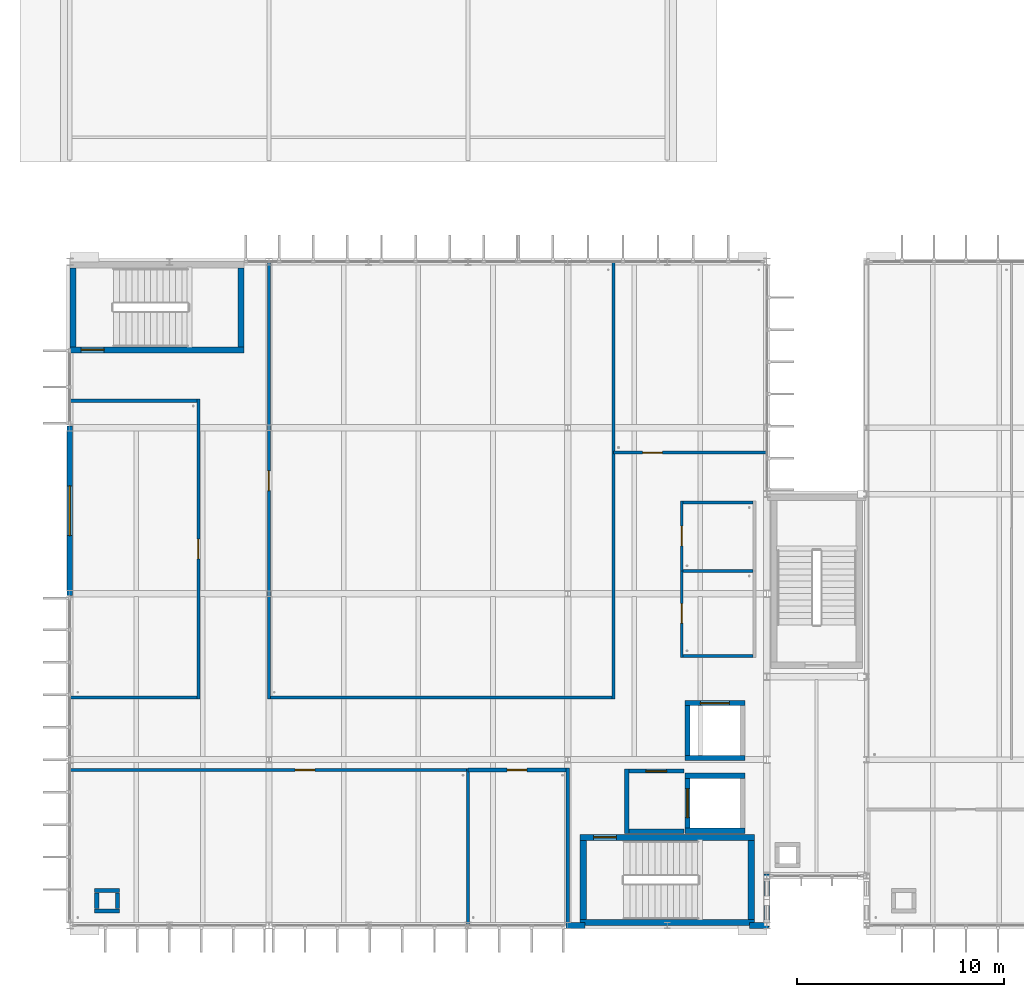
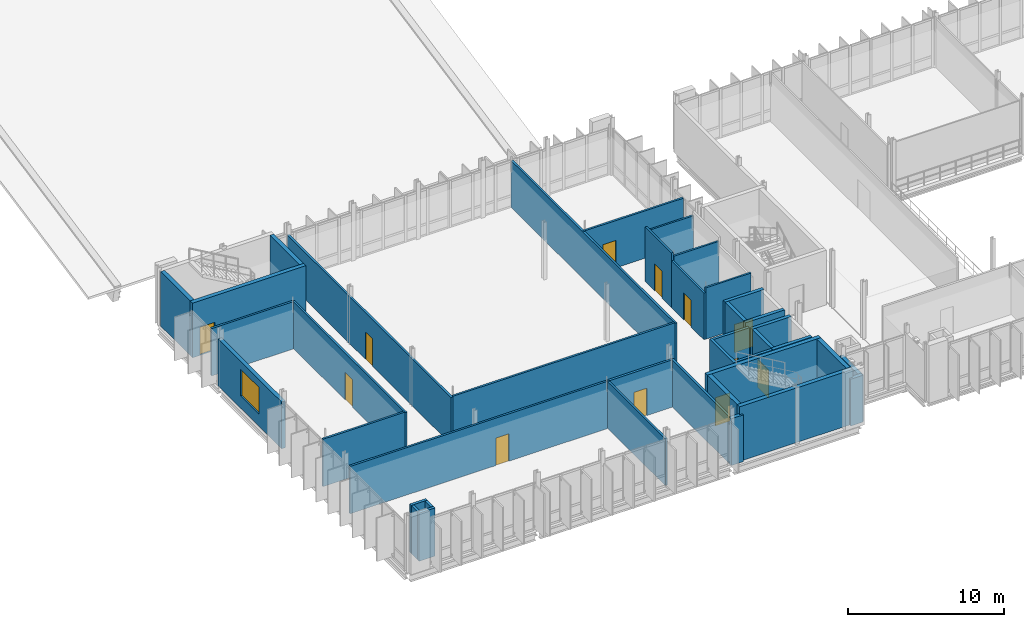
# One storey, part 32 of 59: 40 walls, 12 doors, 1 window, 13 openings.
"""IFC4 building model written with IfcOpenShell, lengths in metres."""

from ifc_helpers import new_model, si_unit, direction, frame, frame_2d, origin, place, context, subcontext, project, spatial, rectangle, extrude, material, layer, layer_set, type_object, element, fill, save


model = new_model("IFC4")

# Units and contexts
model_context = context("Model", 3, precision=1e-05, world=origin(), true_north=direction((0.0, 1.0)))
body_context = subcontext(model_context, "Body", "Model", "MODEL_VIEW")
ifc_project = project(units=[si_unit("LENGTHUNIT", "METRE"), si_unit("AREAUNIT", "SQUARE_METRE"), si_unit("VOLUMEUNIT", "CUBIC_METRE"), si_unit("PLANEANGLEUNIT", "RADIAN"), si_unit("MASSUNIT", "GRAM", prefix="KILO")], contexts=[model_context])

# Site, building, storey
site_placement = place(None, origin())
site = spatial("IfcSite", under=ifc_project, at=site_placement, CompositionType="ELEMENT")
building_placement = place(site_placement, origin())
building = spatial("IfcBuilding", under=site, at=building_placement, Name="Dunescarp Central Library", CompositionType="ELEMENT")
storey_placement = place(building_placement, frame((0.0, 0.0, 18.60009765625)))
storey = spatial("IfcBuildingStorey", under=building, at=storey_placement, Name="L04", CompositionType="ELEMENT", Elevation=18.60009765625)

# Wall, opening, door
ifc_material_1 = material(Name="Gypsum plasterboard acoustic partition")
ifc_layer_1 = layer(ifc_material_1, 0.14990234375)
ifc_layer_set_1 = layer_set([ifc_layer_1], Name="Gypsum plasterboard acoustic partition")
wall_type_1 = type_object("IfcWallType", Name="ARC-PT-AC150", PredefinedType="PARTITIONING", material=ifc_layer_set_1)
wall_1_placement = place(storey_placement, frame((0.0400390625, 12.300048828125, 0.0), z_axis=(0.0, 0.0, 1.0), x_axis=(1.0, 0.0, 0.0)))
wall_1 = element("IfcWall", 1, at=wall_1_placement, inside=storey, type_object=wall_type_1, Name="L04 partition PT-L04-0101", PredefinedType="PARTITIONING", context=body_context, shape_type="SweptSolid", body=[
    extrude(rectangle(XDim=19.0849609375, YDim=0.14990234375, at=frame_2d((9.54248046875, 0.0))), origin(), (0.0, 0.0, 1.0), 3.7109375),
])
opening_1_placement = place(wall_1_placement, frame((10.818115234375, 0.0, 0.0)))
opening_1 = element("IfcOpeningElement", 2, at=opening_1_placement, cuts=wall_1, Name="Opening DR-L04-0038", PredefinedType="OPENING", context=body_context, shape_type="SweptSolid", body=[
    extrude(rectangle(XDim=0.949951171875, YDim=2.14990234375, at=frame_2d((0.47509765625, 1.074951171875))), frame((0.0, 0.0849609375, 0.0), z_axis=(0.0, -1.0, 0.0), x_axis=(1.0, 0.0, 0.0)), (0.0, 0.0, 1.0), 0.169921875),
])
ifc_material_2 = material(Name="Hardwood solid-core timber leaf", Category="wood")
door_type_1 = type_object("IfcDoorType", Name="ARC-DR-INT950", OperationType="NOTDEFINED", PredefinedType="DOOR", material=ifc_material_2)
door_1_placement = place(opening_1_placement, origin())
door_1 = element("IfcDoor", 3, at=door_1_placement, inside=storey, type_object=door_type_1, Name="L04 interior door DR-L04-0038", OperationType="SINGLE_SWING_RIGHT", OverallHeight=2.14990234375, OverallWidth=0.949951171875, PredefinedType="DOOR", context=body_context, shape_type="SweptSolid", body=[
    extrude(rectangle(XDim=0.949951171875, YDim=2.14990234375, at=frame_2d((0.47509765625, 1.074951171875))), frame((0.0, 0.02490234375, 0.0), z_axis=(0.0, -1.0, 0.0), x_axis=(1.0, 0.0, 0.0)), (0.0, 0.0, 1.0), 0.050048828125),
])
fill(opening_1, door_1)

# Walls
wall_2_placement = place(storey_placement, frame((19.199951171875, 4.840087890625, 0.0), z_axis=(0.0, 0.0, 1.0), x_axis=(0.0, 1.0, 0.0)))
element("IfcWall", 4, at=wall_2_placement, inside=storey, type_object=wall_type_1, Name="L04 partition PT-L04-0102", PredefinedType="PARTITIONING", context=body_context, shape_type="SweptSolid", body=[
    extrude(rectangle(XDim=7.534912109375, YDim=0.14990234375, at=frame_2d((3.767578125, 0.0))), origin(), (0.0, 0.0, 1.0), 3.664794921875),
])
for number, where, z_axis, x_axis, name in (
    (5, (0.0400390625, 15.800048828125, 0.0), (0.0, 0.0, 1.0), (1.0, 0.0, 0.0), "L04 partition PT-L04-0105"),
    (6, (0.0400390625, 30.10009765625, 0.0), (0.0, 0.0, 1.0), (1.0, 0.0, 0.0), "L04 partition PT-L04-0106"),
):
    element("IfcWall", number, at=place(storey_placement, frame(where, z_axis=z_axis, x_axis=x_axis)), inside=storey, type_object=wall_type_1, Name=name, PredefinedType="PARTITIONING", context=body_context, shape_type="SweptSolid", body=[
        extrude(rectangle(XDim=6.0849609375, YDim=0.14990234375, at=frame_2d((3.04248046875, 0.0))), origin(), (0.0, 0.0, 1.0), 3.7109375),
    ])

# Wall, opening, door
wall_3_placement = place(storey_placement, frame((6.199951171875, 15.72509765625, 0.0), z_axis=(0.0, 0.0, 1.0), x_axis=(0.0, 1.0, 0.0)))
wall_3 = element("IfcWall", 7, at=wall_3_placement, inside=storey, type_object=wall_type_1, Name="L04 partition PT-L04-0107", PredefinedType="PARTITIONING", context=body_context, shape_type="SweptSolid", body=[
    extrude(rectangle(XDim=14.449951171875, YDim=0.14990234375, at=frame_2d((7.22509765625, 0.0))), origin(), (0.0, 0.0, 1.0), 3.664794921875),
])
opening_2_placement = place(wall_3_placement, frame((6.75, 0.0, 0.0)))
opening_2 = element("IfcOpeningElement", 8, at=opening_2_placement, cuts=wall_3, Name="Opening DR-L04-0040", PredefinedType="OPENING", context=body_context, shape_type="SweptSolid", body=[
    extrude(rectangle(XDim=0.949951171875, YDim=2.14990234375, at=frame_2d((0.47509765625, 1.074951171875))), frame((0.0, 0.0849609375, 0.0), z_axis=(0.0, -1.0, 0.0), x_axis=(1.0, 0.0, 0.0)), (0.0, 0.0, 1.0), 0.169921875),
])
door_2_placement = place(opening_2_placement, origin())
door_2 = element("IfcDoor", 9, at=door_2_placement, inside=storey, type_object=door_type_1, Name="L04 interior door DR-L04-0040", OperationType="SINGLE_SWING_RIGHT", OverallHeight=2.14990234375, OverallWidth=0.949951171875, PredefinedType="DOOR", context=body_context, shape_type="SweptSolid", body=[
    extrude(rectangle(XDim=0.949951171875, YDim=2.14990234375, at=frame_2d((0.47509765625, 1.074951171875))), frame((0.0, 0.02490234375, 0.0), z_axis=(0.0, -1.0, 0.0), x_axis=(1.0, 0.0, 0.0)), (0.0, 0.0, 1.0), 0.050048828125),
])
fill(opening_2, door_2)

# Wall
wall_4_placement = place(storey_placement, frame((9.675048828125, 15.800048828125, 0.0), z_axis=(0.0, 0.0, 1.0), x_axis=(1.0, 0.0, 0.0)))
element("IfcWall", 10, at=wall_4_placement, inside=storey, type_object=wall_type_1, Name="L04 partition PT-L04-0108", PredefinedType="PARTITIONING", context=body_context, shape_type="SweptSolid", body=[
    extrude(rectangle(XDim=16.449951171875, YDim=0.14990234375, at=frame_2d((8.22509765625, 0.0))), origin(), (0.0, 0.0, 1.0), 3.7109375),
])

# Wall, opening, door
wall_5_placement = place(storey_placement, frame((9.60009765625, 15.72509765625, 0.0), z_axis=(0.0, 0.0, 1.0), x_axis=(0.0, 1.0, 0.0)))
wall_5 = element("IfcWall", 11, at=wall_5_placement, inside=storey, type_object=wall_type_1, Name="L04 partition PT-L04-0109", PredefinedType="PARTITIONING", context=body_context, shape_type="SweptSolid", body=[
    extrude(rectangle(XDim=21.034912109375, YDim=0.14990234375, at=frame_2d((10.517578125, 0.0))), origin(), (0.0, 0.0, 1.0), 3.664794921875),
])
opening_3_placement = place(wall_5_placement, frame((10.0419921875, 0.0, 0.0)))
opening_3 = element("IfcOpeningElement", 12, at=opening_3_placement, cuts=wall_5, Name="Opening DR-L04-0041", PredefinedType="OPENING", context=body_context, shape_type="SweptSolid", body=[
    extrude(rectangle(XDim=0.949951171875, YDim=2.14990234375, at=frame_2d((0.47509765625, 1.074951171875))), frame((0.0, 0.0849609375, 0.0), z_axis=(0.0, -1.0, 0.0), x_axis=(1.0, 0.0, 0.0)), (0.0, 0.0, 1.0), 0.169921875),
])
door_3_placement = place(opening_3_placement, origin())
door_3 = element("IfcDoor", 13, at=door_3_placement, inside=storey, type_object=door_type_1, Name="L04 interior door DR-L04-0041", OperationType="SINGLE_SWING_LEFT", OverallHeight=2.14990234375, OverallWidth=0.949951171875, PredefinedType="DOOR", context=body_context, shape_type="SweptSolid", body=[
    extrude(rectangle(XDim=0.949951171875, YDim=2.14990234375, at=frame_2d((0.47509765625, 1.074951171875))), frame((0.0, 0.02490234375, 0.0), z_axis=(0.0, -1.0, 0.0), x_axis=(1.0, 0.0, 0.0)), (0.0, 0.0, 1.0), 0.050048828125),
])
fill(opening_3, door_3)

# Wall
wall_6_placement = place(storey_placement, frame((26.199951171875, 15.72509765625, 0.0), z_axis=(0.0, 0.0, 1.0), x_axis=(0.0, 1.0, 0.0)))
element("IfcWall", 14, at=wall_6_placement, inside=storey, type_object=wall_type_1, Name="L04 partition PT-L04-0110", PredefinedType="PARTITIONING", context=body_context, shape_type="SweptSolid", body=[
    extrude(rectangle(XDim=21.034912109375, YDim=0.14990234375, at=frame_2d((10.517578125, 0.0))), origin(), (0.0, 0.0, 1.0), 3.664794921875),
])

# Wall, opening, door
wall_7_placement = place(storey_placement, frame((26.199951171875, 27.60009765625, 0.0), z_axis=(0.0, 0.0, 1.0), x_axis=(1.0, 0.0, 0.0)))
wall_7 = element("IfcWall", 15, at=wall_7_placement, inside=storey, type_object=wall_type_1, Name="L04 partition PT-L04-0111", PredefinedType="PARTITIONING", context=body_context, shape_type="SweptSolid", body=[
    extrude(rectangle(XDim=7.360107421875, YDim=0.14990234375, at=frame_2d((3.68017578125, 0.0))), origin(), (0.0, 0.0, 1.0), 3.7109375),
])
opening_4_placement = place(wall_7_placement, frame((1.409912109375, 0.0, 0.0)))
opening_4 = element("IfcOpeningElement", 16, at=opening_4_placement, cuts=wall_7, Name="Opening DR-L04-0042", PredefinedType="OPENING", context=body_context, shape_type="SweptSolid", body=[
    extrude(rectangle(XDim=0.949951171875, YDim=2.14990234375, at=frame_2d((0.47509765625, 1.074951171875))), frame((0.0, 0.0849609375, 0.0), z_axis=(0.0, -1.0, 0.0), x_axis=(1.0, 0.0, 0.0)), (0.0, 0.0, 1.0), 0.169921875),
])
door_4_placement = place(opening_4_placement, origin())
door_4 = element("IfcDoor", 17, at=door_4_placement, inside=storey, type_object=door_type_1, Name="L04 interior door DR-L04-0042", OperationType="SINGLE_SWING_RIGHT", OverallHeight=2.14990234375, OverallWidth=0.949951171875, PredefinedType="DOOR", context=body_context, shape_type="SweptSolid", body=[
    extrude(rectangle(XDim=0.949951171875, YDim=2.14990234375, at=frame_2d((0.47509765625, 1.074951171875))), frame((0.0, 0.02490234375, 0.0), z_axis=(0.0, -1.0, 0.0), x_axis=(1.0, 0.0, 0.0)), (0.0, 0.0, 1.0), 0.050048828125),
])
fill(opening_4, door_4)

ifc_layer_2 = layer(ifc_material_1, 0.169921875)
ifc_layer_set_2 = layer_set([ifc_layer_2], Name="Gypsum plasterboard acoustic partition")
wall_type_2 = type_object("IfcWallType", Name="ARC-PT-AC175", PredefinedType="PARTITIONING", material=ifc_layer_set_2)
wall_8_placement = place(storey_placement, frame((19.199951171875, 12.300048828125, 0.0), z_axis=(0.0, 0.0, 1.0), x_axis=(1.0, 0.0, 0.0)))
wall_8 = element("IfcWall", 18, at=wall_8_placement, inside=storey, type_object=wall_type_2, Name="L04 partition PT-L04-0103", PredefinedType="PARTITIONING", context=body_context, shape_type="SweptSolid", body=[
    extrude(rectangle(XDim=4.715087890625, YDim=0.169921875, at=frame_2d((2.357421875, 0.0))), origin(), (0.0, 0.0, 1.0), 3.7109375),
])
opening_5_placement = place(wall_8_placement, frame((1.882080078125, 0.0, 0.0)))
opening_5 = element("IfcOpeningElement", 19, at=opening_5_placement, cuts=wall_8, Name="Opening DR-L04-0039", PredefinedType="OPENING", context=body_context, shape_type="SweptSolid", body=[
    extrude(rectangle(XDim=0.949951171875, YDim=2.14990234375, at=frame_2d((0.47509765625, 1.074951171875))), frame((0.0, 0.094970703125, 0.0), z_axis=(0.0, -1.0, 0.0), x_axis=(1.0, 0.0, 0.0)), (0.0, 0.0, 1.0), 0.18994140625),
])
door_5_placement = place(opening_5_placement, origin())
door_5 = element("IfcDoor", 20, at=door_5_placement, inside=storey, type_object=door_type_1, Name="L04 interior door DR-L04-0039", OperationType="SINGLE_SWING_LEFT", OverallHeight=2.14990234375, OverallWidth=0.949951171875, PredefinedType="DOOR", context=body_context, shape_type="SweptSolid", body=[
    extrude(rectangle(XDim=0.949951171875, YDim=2.14990234375, at=frame_2d((0.47509765625, 1.074951171875))), frame((0.0, 0.02490234375, 0.0), z_axis=(0.0, -1.0, 0.0), x_axis=(1.0, 0.0, 0.0)), (0.0, 0.0, 1.0), 0.050048828125),
])
fill(opening_5, door_5)

# Walls
wall_9_placement = place(storey_placement, frame((24.0, 4.840087890625, 0.0), z_axis=(0.0, 0.0, 1.0), x_axis=(0.0, 1.0, 0.0)))
element("IfcWall", 21, at=wall_9_placement, inside=storey, type_object=wall_type_2, Name="L04 partition PT-L04-0104", PredefinedType="PARTITIONING", context=body_context, shape_type="SweptSolid", body=[
    extrude(rectangle(XDim=7.544921875, YDim=0.169921875, at=frame_2d((3.7724609375, 0.0))), origin(), (0.0, 0.0, 1.0), 3.664794921875),
])
ifc_material_3 = material(Name="Concrete C35/45", Category="concrete")
ifc_layer_3 = layer(ifc_material_3, 0.199951171875)
ifc_layer_set_3 = layer_set([ifc_layer_3], Name="Concrete C35/45")
wall_type_3 = type_object("IfcWallType", Name="ARC-PT-FIRE200", PredefinedType="PARTITIONING", material=ifc_layer_set_3)
wall_10_placement = place(storey_placement, frame((26.949951171875, 9.35009765625, 0.0), z_axis=(0.0, 0.0, 1.0), x_axis=(1.0, 0.0, 0.0)))
element("IfcWall", 22, at=wall_10_placement, inside=storey, type_object=wall_type_3, Name="L04 partition PT-L04-0091", PredefinedType="PARTITIONING", context=body_context, shape_type="SweptSolid", body=[
    extrude(rectangle(XDim=2.650146484375, YDim=0.199951171875, at=frame_2d((1.3251953125, 0.0))), origin(), (0.0, 0.0, 1.0), 4.27978515625),
])

# Wall, opening, door
wall_11_placement = place(storey_placement, frame((26.949951171875, 12.25, 0.0), z_axis=(0.0, 0.0, 1.0), x_axis=(1.0, 0.0, 0.0)))
wall_11 = element("IfcWall", 23, at=wall_11_placement, inside=storey, type_object=wall_type_3, Name="L04 partition PT-L04-0092", PredefinedType="PARTITIONING", context=body_context, shape_type="SweptSolid", body=[
    extrude(rectangle(XDim=2.650146484375, YDim=0.199951171875, at=frame_2d((1.3251953125, 0.0))), origin(), (0.0, 0.0, 1.0), 4.27978515625),
])
opening_6_placement = place(wall_11_placement, frame((0.824951171875, 0.0, 0.0)))
opening_6 = element("IfcOpeningElement", 24, at=opening_6_placement, cuts=wall_11, Name="Opening DR-L04-0035", PredefinedType="OPENING", context=body_context, shape_type="SweptSolid", body=[
    extrude(rectangle(XDim=1.0, YDim=2.199951171875, at=frame_2d((0.5, 1.10009765625))), frame((0.0, 0.10986328125, 0.0), z_axis=(0.0, -1.0, 0.0), x_axis=(1.0, 0.0, 0.0)), (0.0, 0.0, 1.0), 0.219970703125),
])
door_type_2 = type_object("IfcDoorType", Name="ARC-DR-INT1000", OperationType="NOTDEFINED", PredefinedType="DOOR", material=ifc_material_2)
door_6_placement = place(opening_6_placement, origin())
door_6 = element("IfcDoor", 25, at=door_6_placement, inside=storey, type_object=door_type_2, Name="L04 interior door DR-L04-0035", OperationType="SINGLE_SWING_LEFT", OverallHeight=2.199951171875, OverallWidth=1.0, PredefinedType="DOOR", context=body_context, shape_type="SweptSolid", body=[
    extrude(rectangle(XDim=1.0, YDim=2.199951171875, at=frame_2d((0.5, 1.10009765625))), frame((0.0, 0.02490234375, 0.0), z_axis=(0.0, -1.0, 0.0), x_axis=(1.0, 0.0, 0.0)), (0.0, 0.0, 1.0), 0.050048828125),
])
fill(opening_6, door_6)

# Walls
wall_12_placement = place(storey_placement, frame((26.85009765625, 9.25, 0.0), z_axis=(0.0, 0.0, 1.0), x_axis=(0.0, 1.0, 0.0)))
element("IfcWall", 26, at=wall_12_placement, inside=storey, type_object=wall_type_3, Name="L04 partition PT-L04-0093", PredefinedType="PARTITIONING", context=body_context, shape_type="SweptSolid", body=[
    extrude(rectangle(XDim=3.10009765625, YDim=0.199951171875, at=frame_2d((1.550048828125, 0.0))), origin(), (0.0, 0.0, 1.0), 4.27978515625),
])
ifc_material_4 = material(Name="Autoclaved aerated concrete block", Category="concrete")
ifc_layer_4 = layer(ifc_material_4, 0.139892578125)
ifc_layer_set_4 = layer_set([ifc_layer_4], Name="Autoclaved aerated concrete block")
wall_type_4 = type_object("IfcWallType", Name="ARC-PT-WET140", PredefinedType="PARTITIONING", material=ifc_layer_set_4)
for number, where, z_axis, x_axis, name in (
    (27, (29.570068359375, 17.800048828125, 0.0), (0.0, 0.0, 1.0), (1.0, 0.0, 0.0), "L04 partition PT-L04-0094"),
    (28, (29.570068359375, 21.89990234375, 0.0), (0.0, 0.0, 1.0), (1.0, 0.0, 0.0), "L04 partition PT-L04-0095"),
):
    element("IfcWall", number, at=place(storey_placement, frame(where, z_axis=z_axis, x_axis=x_axis)), inside=storey, type_object=wall_type_4, Name=name, PredefinedType="PARTITIONING", context=body_context, shape_type="SweptSolid", body=[
        extrude(rectangle(XDim=3.35986328125, YDim=0.139892578125, at=frame_2d((1.679931640625, 0.0))), origin(), (0.0, 0.0, 1.0), 4.014892578125),
    ])

# Wall, opening, door
wall_13_placement = place(storey_placement, frame((29.5, 17.72998046875, 0.0), z_axis=(0.0, 0.0, 1.0), x_axis=(0.0, 1.0, 0.0)))
wall_13 = element("IfcWall", 29, at=wall_13_placement, inside=storey, type_object=wall_type_4, Name="L04 partition PT-L04-0096", PredefinedType="PARTITIONING", context=body_context, shape_type="SweptSolid", body=[
    extrude(rectangle(XDim=4.239990234375, YDim=0.139892578125, at=frame_2d((2.1201171875, 0.0))), origin(), (0.0, 0.0, 1.0), 3.664794921875),
])
opening_7_placement = place(wall_13_placement, frame((1.64501953125, 0.0, 0.0)))
opening_7 = element("IfcOpeningElement", 30, at=opening_7_placement, cuts=wall_13, Name="Opening DR-L04-0036", PredefinedType="OPENING", context=body_context, shape_type="SweptSolid", body=[
    extrude(rectangle(XDim=0.949951171875, YDim=2.10009765625, at=frame_2d((0.47509765625, 1.050048828125))), frame((0.0, 0.080078125, 0.0), z_axis=(0.0, -1.0, 0.0), x_axis=(1.0, 0.0, 0.0)), (0.0, 0.0, 1.0), 0.159912109375),
])
door_type_3 = type_object("IfcDoorType", Name="ARC-DR-WC950", OperationType="NOTDEFINED", PredefinedType="DOOR", material=ifc_material_2)
door_7_placement = place(opening_7_placement, origin())
door_7 = element("IfcDoor", 31, at=door_7_placement, inside=storey, type_object=door_type_3, Name="L04 interior door DR-L04-0036", OperationType="SINGLE_SWING_RIGHT", OverallHeight=2.10009765625, OverallWidth=0.949951171875, PredefinedType="DOOR", context=body_context, shape_type="SweptSolid", body=[
    extrude(rectangle(XDim=0.949951171875, YDim=2.10009765625, at=frame_2d((0.47509765625, 1.050048828125))), frame((0.0, 0.02490234375, 0.0), z_axis=(0.0, -1.0, 0.0), x_axis=(1.0, 0.0, 0.0)), (0.0, 0.0, 1.0), 0.050048828125),
])
fill(opening_7, door_7)

# Wall
wall_14_placement = place(storey_placement, frame((29.570068359375, 25.199951171875, 0.0), z_axis=(0.0, 0.0, 1.0), x_axis=(1.0, 0.0, 0.0)))
element("IfcWall", 32, at=wall_14_placement, inside=storey, type_object=wall_type_4, Name="L04 partition PT-L04-0098", PredefinedType="PARTITIONING", context=body_context, shape_type="SweptSolid", body=[
    extrude(rectangle(XDim=3.35986328125, YDim=0.139892578125, at=frame_2d((1.679931640625, 0.0))), origin(), (0.0, 0.0, 1.0), 4.014892578125),
])

# Wall, opening, door
wall_15_placement = place(storey_placement, frame((29.5, 21.89990234375, 0.0), z_axis=(0.0, 0.0, 1.0), x_axis=(0.0, 1.0, 0.0)))
wall_15 = element("IfcWall", 33, at=wall_15_placement, inside=storey, type_object=wall_type_4, Name="L04 partition PT-L04-0099", PredefinedType="PARTITIONING", context=body_context, shape_type="SweptSolid", body=[
    extrude(rectangle(XDim=3.3701171875, YDim=0.139892578125, at=frame_2d((1.68505859375, 0.0))), origin(), (0.0, 0.0, 1.0), 4.27978515625),
])
opening_8_placement = place(wall_15_placement, frame((1.2099609375, 0.0, 0.0)))
opening_8 = element("IfcOpeningElement", 34, at=opening_8_placement, cuts=wall_15, Name="Opening DR-L04-0037", PredefinedType="OPENING", context=body_context, shape_type="SweptSolid", body=[
    extrude(rectangle(XDim=0.949951171875, YDim=2.10009765625, at=frame_2d((0.47509765625, 1.050048828125))), frame((0.0, 0.080078125, 0.0), z_axis=(0.0, -1.0, 0.0), x_axis=(1.0, 0.0, 0.0)), (0.0, 0.0, 1.0), 0.159912109375),
])
door_8_placement = place(opening_8_placement, origin())
door_8 = element("IfcDoor", 35, at=door_8_placement, inside=storey, type_object=door_type_3, Name="L04 interior door DR-L04-0037", OperationType="SINGLE_SWING_LEFT", OverallHeight=2.10009765625, OverallWidth=0.949951171875, PredefinedType="DOOR", context=body_context, shape_type="SweptSolid", body=[
    extrude(rectangle(XDim=0.949951171875, YDim=2.10009765625, at=frame_2d((0.47509765625, 1.050048828125))), frame((0.0, 0.02490234375, 0.0), z_axis=(0.0, -1.0, 0.0), x_axis=(1.0, 0.0, 0.0)), (0.0, 0.0, 1.0), 0.050048828125),
])
fill(opening_8, door_8)

# Walls
ifc_material_5 = material(Name="Glass-fibre reinforced concrete GRC", Category="concrete")
ifc_layer_5 = layer(ifc_material_5, 0.280029296875)
ifc_layer_set_5 = layer_set([ifc_layer_5], Name="Glass-fibre reinforced concrete GRC")
wall_type_5 = type_object("IfcWallType", Name="ARC-WL-GRC280", PredefinedType="SOLIDWALL", material=ifc_layer_set_5)
wall_16_placement = place(storey_placement, frame((24.8349609375, 4.800048828125, 0.0), z_axis=(0.0, 0.0, 1.0), x_axis=(-1.0, 0.0, 0.0)))
element("IfcWall", 36, at=wall_16_placement, inside=storey, type_object=wall_type_5, Name="L04 external wall EW-V1-018", PredefinedType="SOLIDWALL", context=body_context, shape_type="SweptSolid", body=[
    extrude(rectangle(XDim=0.919921875, YDim=0.280029296875, at=frame_2d((0.4599609375, 0.0))), origin(), (0.0, 0.0, 1.0), 3.664794921875),
])
wall_17_placement = place(storey_placement, frame((33.68505859375, 4.800048828125, 0.0), z_axis=(0.0, 0.0, 1.0), x_axis=(-1.0, 0.0, 0.0)))
element("IfcWall", 37, at=wall_17_placement, inside=storey, type_object=wall_type_5, Name="L04 external wall EW-V1-019", PredefinedType="SOLIDWALL", context=body_context, shape_type="SweptSolid", body=[
    extrude(rectangle(XDim=0.920166015625, YDim=0.280029296875, at=frame_2d((0.4599609375, 0.0))), origin(), (0.0, 0.0, 1.0), 3.664794921875),
])

# Wall, opening, window
wall_18_placement = place(storey_placement, frame((0.0, 20.715087890625, 0.0), z_axis=(0.0, 0.0, 1.0), x_axis=(0.0, 1.0, 0.0)))
wall_18 = element("IfcWall", 38, at=wall_18_placement, inside=storey, type_object=wall_type_5, Name="L04 external wall EW-V1-020", PredefinedType="SOLIDWALL", context=body_context, shape_type="SweptSolid", body=[
    extrude(rectangle(XDim=8.169921875, YDim=0.280029296875, at=frame_2d((4.0849609375, 0.0))), origin(), (0.0, 0.0, 1.0), 3.664794921875),
])
opening_9_placement = place(wall_18_placement, frame((2.885009765625, 0.0, 0.949951171875)))
opening_9 = element("IfcOpeningElement", 39, at=opening_9_placement, cuts=wall_18, Name="Opening WN-005", PredefinedType="OPENING", context=body_context, shape_type="SweptSolid", body=[
    extrude(rectangle(XDim=2.39990234375, YDim=2.10009765625, at=frame_2d((1.199951171875, 1.050048828125))), frame((0.0, 0.14990234375, 0.0), z_axis=(0.0, -1.0, 0.0), x_axis=(1.0, 0.0, 0.0)), (0.0, 0.0, 1.0), 0.300048828125),
])
ifc_material_6 = material(Name="Solar-control laminated double glazing", Category="glass")
window_type = type_object("IfcWindowType", Name="ARC-WN-2400X2100", PartitioningType="SINGLE_PANEL", PredefinedType="WINDOW", material=ifc_material_6)
window_placement = place(opening_9_placement, origin())
window = element("IfcWindow", 40, at=window_placement, inside=storey, type_object=window_type, Name="L04 window WN-005", OverallHeight=2.10009765625, OverallWidth=2.39990234375, PartitioningType="SINGLE_PANEL", PredefinedType="WINDOW", context=body_context, shape_type="SweptSolid", body=[
    extrude(rectangle(XDim=2.39990234375, YDim=2.10009765625, at=frame_2d((1.199951171875, 1.050048828125))), frame((0.0, 0.030029296875, 0.0), z_axis=(0.0, -1.0, 0.0), x_axis=(1.0, 0.0, 0.0)), (0.0, 0.0, 1.0), 0.06005859375),
])
fill(opening_9, window)

# Walls
wall_19_placement = place(storey_placement, frame((33.60009765625, 7.284912109375, 0.0), z_axis=(0.0, 0.0, 1.0), x_axis=(0.0, -1.0, 0.0)))
element("IfcWall", 41, at=wall_19_placement, inside=storey, type_object=wall_type_5, Name="L04 external wall EW-V1-021", PredefinedType="SOLIDWALL", context=body_context, shape_type="SweptSolid", body=[
    extrude(rectangle(XDim=2.56982421875, YDim=0.280029296875, at=frame_2d((1.284912109375, 0.0))), origin(), (0.0, 0.0, 1.0), 3.664794921875),
])
ifc_layer_6 = layer(ifc_material_3, 0.199951171875)
ifc_layer_set_6 = layer_set([ifc_layer_6], Name="Concrete C35/45")
wall_type_6 = type_object("IfcWallType", Name="ARC-WL-RISER200", PredefinedType="PARTITIONING", material=ifc_layer_set_6)
for number, where, z_axis, x_axis, name in (
    (42, (2.39990234375, 5.5, 0.0), (0.0, 0.0, 1.0), (-1.0, 0.0, 0.0), "L04 V1 duct shaft wall S"),
    (43, (1.199951171875, 6.5, 0.0), (0.0, 0.0, 1.0), (1.0, 0.0, 0.0), "L04 V1 duct shaft wall N"),
):
    element("IfcWall", number, at=place(storey_placement, frame(where, z_axis=z_axis, x_axis=x_axis)), inside=storey, type_object=wall_type_6, Name=name, PredefinedType="PARTITIONING", context=body_context, shape_type="SweptSolid", body=[
        extrude(rectangle(XDim=1.199951171875, YDim=0.199951171875, at=frame_2d((0.60009765625, 0.0))), origin(), (0.0, 0.0, 1.0), 3.77978515625),
    ])
for number, where, z_axis, x_axis, name in (
    (44, (1.300048828125, 5.6201171875, 0.0), (0.0, 0.0, 1.0), (0.0, 1.0, 0.0), "L04 V1 duct shaft wall W"),
    (45, (2.300048828125, 6.3798828125, 0.0), (0.0, 0.0, 1.0), (0.0, -1.0, 0.0), "L04 V1 duct shaft wall E"),
):
    element("IfcWall", number, at=place(storey_placement, frame(where, z_axis=z_axis, x_axis=x_axis)), inside=storey, type_object=wall_type_6, Name=name, PredefinedType="PARTITIONING", context=body_context, shape_type="SweptSolid", body=[
        extrude(rectangle(XDim=0.759765625, YDim=0.199951171875, at=frame_2d((0.3798828125, 0.0))), origin(), (0.0, 0.0, 1.0), 3.77978515625),
    ])
ifc_material_7 = material(Name="Concrete C40/50", Category="concrete")
ifc_layer_7 = layer(ifc_material_7, 0.25)
ifc_layer_set_7 = layer_set([ifc_layer_7], Name="Concrete C40/50")
wall_type_7 = type_object("IfcWallType", Name="STR-WL-CORE250", PredefinedType="SHEAR", material=ifc_layer_set_7)
for number, where, z_axis, x_axis, name in (
    (46, (32.550048828125, 9.375, 0.0), (0.0, 0.0, 1.0), (-1.0, 0.0, 0.0), "L04 FFL-1 lift shaft wall S"),
    (47, (29.64990234375, 12.02490234375, 0.0), (0.0, 0.0, 1.0), (1.0, 0.0, 0.0), "L04 FFL-1 lift shaft wall N"),
):
    element("IfcWall", number, at=place(storey_placement, frame(where, z_axis=z_axis, x_axis=x_axis)), inside=storey, type_object=wall_type_7, Name=name, PredefinedType="SHEAR", context=body_context, shape_type="SweptSolid", body=[
        extrude(rectangle(XDim=2.900146484375, YDim=0.25, at=frame_2d((1.4501953125, 0.0))), origin(), (0.0, 0.0, 1.0), 4.27978515625),
    ])

# Wall, opening, door
wall_20_placement = place(storey_placement, frame((29.77490234375, 9.5, 0.0), z_axis=(0.0, 0.0, 1.0), x_axis=(0.0, 1.0, 0.0)))
wall_20 = element("IfcWall", 48, at=wall_20_placement, inside=storey, type_object=wall_type_7, Name="L04 FFL-1 lift shaft wall W", PredefinedType="SHEAR", context=body_context, shape_type="SweptSolid", body=[
    extrude(rectangle(XDim=2.39990234375, YDim=0.25, at=frame_2d((1.199951171875, 0.0))), origin(), (0.0, 0.0, 1.0), 4.27978515625),
])
opening_10_placement = place(wall_20_placement, frame((0.5, 0.0, 0.0)))
opening_10 = element("IfcOpeningElement", 49, at=opening_10_placement, cuts=wall_20, Name="Opening LD-FFL-1-L04", PredefinedType="OPENING", context=body_context, shape_type="SweptSolid", body=[
    extrude(rectangle(XDim=1.39990234375, YDim=2.199951171875, at=frame_2d((0.699951171875, 1.10009765625))), frame((0.0, 0.135009765625, 0.0), z_axis=(0.0, -1.0, 0.0), x_axis=(1.0, 0.0, 0.0)), (0.0, 0.0, 1.0), 0.27001953125),
])
ifc_material_8 = material(Name="Stainless steel Grade 316L", Category="steel")
door_type_4 = type_object("IfcDoorType", Name="ARC-DR-LD1400", OperationType="DOUBLE_DOOR_SLIDING", PredefinedType="DOOR", material=ifc_material_8)
door_9_placement = place(opening_10_placement, origin())
door_9 = element("IfcDoor", 50, at=door_9_placement, inside=storey, type_object=door_type_4, Name="L04 FFL-1 lift landing door", OperationType="DOUBLE_DOOR_SLIDING", OverallHeight=2.199951171875, OverallWidth=1.39990234375, PredefinedType="DOOR", context=body_context, shape_type="SweptSolid", body=[
    extrude(rectangle(XDim=1.39990234375, YDim=2.199951171875, at=frame_2d((0.699951171875, 1.10009765625))), frame((0.0, 0.02490234375, 0.0), z_axis=(0.0, -1.0, 0.0), x_axis=(1.0, 0.0, 0.0)), (0.0, 0.0, 1.0), 0.050048828125),
])
fill(opening_10, door_9)

# Wall
wall_21_placement = place(storey_placement, frame((32.550048828125, 12.875, 0.0), z_axis=(0.0, 0.0, 1.0), x_axis=(-1.0, 0.0, 0.0)))
element("IfcWall", 51, at=wall_21_placement, inside=storey, type_object=wall_type_7, Name="L04 SL-1 lift shaft wall S", PredefinedType="SHEAR", context=body_context, shape_type="SweptSolid", body=[
    extrude(rectangle(XDim=2.900146484375, YDim=0.25, at=frame_2d((1.4501953125, 0.0))), origin(), (0.0, 0.0, 1.0), 4.27978515625),
])

# Wall, opening, door
wall_22_placement = place(storey_placement, frame((29.64990234375, 15.52490234375, 0.0), z_axis=(0.0, 0.0, 1.0), x_axis=(1.0, 0.0, 0.0)))
wall_22 = element("IfcWall", 52, at=wall_22_placement, inside=storey, type_object=wall_type_7, Name="L04 SL-1 lift shaft wall N", PredefinedType="SHEAR", context=body_context, shape_type="SweptSolid", body=[
    extrude(rectangle(XDim=2.900146484375, YDim=0.25, at=frame_2d((1.4501953125, 0.0))), origin(), (0.0, 0.0, 1.0), 4.27978515625),
])
opening_11_placement = place(wall_22_placement, frame((0.75, 0.0, 0.0)))
opening_11 = element("IfcOpeningElement", 53, at=opening_11_placement, cuts=wall_22, Name="Opening LD-SL-1-L04", PredefinedType="OPENING", context=body_context, shape_type="SweptSolid", body=[
    extrude(rectangle(XDim=1.39990234375, YDim=2.199951171875, at=frame_2d((0.699951171875, 1.10009765625))), frame((0.0, 0.135009765625, 0.0), z_axis=(0.0, -1.0, 0.0), x_axis=(1.0, 0.0, 0.0)), (0.0, 0.0, 1.0), 0.27001953125),
])
door_10_placement = place(opening_11_placement, origin())
door_10 = element("IfcDoor", 54, at=door_10_placement, inside=storey, type_object=door_type_4, Name="L04 SL-1 lift landing door", OperationType="DOUBLE_DOOR_SLIDING", OverallHeight=2.199951171875, OverallWidth=1.39990234375, PredefinedType="DOOR", context=body_context, shape_type="SweptSolid", body=[
    extrude(rectangle(XDim=1.39990234375, YDim=2.199951171875, at=frame_2d((0.699951171875, 1.10009765625))), frame((0.0, 0.02490234375, 0.0), z_axis=(0.0, -1.0, 0.0), x_axis=(1.0, 0.0, 0.0)), (0.0, 0.0, 1.0), 0.050048828125),
])
fill(opening_11, door_10)

# Walls
wall_23_placement = place(storey_placement, frame((29.77490234375, 13.0, 0.0), z_axis=(0.0, 0.0, 1.0), x_axis=(0.0, 1.0, 0.0)))
element("IfcWall", 55, at=wall_23_placement, inside=storey, type_object=wall_type_7, Name="L04 SL-1 lift shaft wall W", PredefinedType="SHEAR", context=body_context, shape_type="SweptSolid", body=[
    extrude(rectangle(XDim=2.39990234375, YDim=0.25, at=frame_2d((1.199951171875, 0.0))), origin(), (0.0, 0.0, 1.0), 4.27978515625),
])
ifc_layer_8 = layer(ifc_material_7, 0.300048828125)
ifc_layer_set_8 = layer_set([ifc_layer_8], Name="Concrete C40/50")
wall_type_8 = type_object("IfcWallType", Name="STR-WL-CORE300", PredefinedType="SHEAR", material=ifc_layer_set_8)
wall_24_placement = place(storey_placement, frame((33.0, 4.949951171875, 0.0), z_axis=(0.0, 0.0, 1.0), x_axis=(-1.0, 0.0, 0.0)))
element("IfcWall", 56, at=wall_24_placement, inside=storey, type_object=wall_type_8, Name="L04 ST-1 south core wall", PredefinedType="SHEAR", context=body_context, shape_type="SweptSolid", body=[
    extrude(rectangle(XDim=8.39990234375, YDim=0.300048828125, at=frame_2d((4.199951171875, 0.0))), origin(), (0.0, 0.0, 1.0), 4.27978515625),
])

# Wall, opening, door
wall_25_placement = place(storey_placement, frame((24.60009765625, 9.050048828125, 0.0), z_axis=(0.0, 0.0, 1.0), x_axis=(1.0, 0.0, 0.0)))
wall_25 = element("IfcWall", 57, at=wall_25_placement, inside=storey, type_object=wall_type_8, Name="L04 ST-1 north core wall", PredefinedType="SHEAR", context=body_context, shape_type="SweptSolid", body=[
    extrude(rectangle(XDim=8.39990234375, YDim=0.300048828125, at=frame_2d((4.199951171875, 0.0))), origin(), (0.0, 0.0, 1.0), 4.27978515625),
])
opening_12_placement = place(wall_25_placement, frame((0.64990234375, 0.0, 0.0)))
opening_12 = element("IfcOpeningElement", 58, at=opening_12_placement, cuts=wall_25, Name="Opening D-ST-1-L04", PredefinedType="OPENING", context=body_context, shape_type="SweptSolid", body=[
    extrude(rectangle(XDim=1.10009765625, YDim=2.199951171875, at=frame_2d((0.550048828125, 1.10009765625))), frame((0.0, 0.16015625, 0.0), z_axis=(0.0, -1.0, 0.0), x_axis=(1.0, 0.0, 0.0)), (0.0, 0.0, 1.0), 0.320068359375),
])
ifc_material_9 = material(Name="Galvanised steel FD120S", Category="steel")
door_type_5 = type_object("IfcDoorType", Name="ARC-DR-STAIR", OperationType="NOTDEFINED", PredefinedType="DOOR", material=ifc_material_9)
door_11_placement = place(opening_12_placement, origin())
door_11 = element("IfcDoor", 59, at=door_11_placement, inside=storey, type_object=door_type_5, Name="L04 ST-1 fire stair door", OperationType="SINGLE_SWING_RIGHT", OverallHeight=2.199951171875, OverallWidth=1.10009765625, PredefinedType="DOOR", context=body_context, shape_type="SweptSolid", body=[
    extrude(rectangle(XDim=1.10009765625, YDim=2.199951171875, at=frame_2d((0.550048828125, 1.10009765625))), frame((0.0, 0.02490234375, 0.0), z_axis=(0.0, -1.0, 0.0), x_axis=(1.0, 0.0, 0.0)), (0.0, 0.0, 1.0), 0.050048828125),
])
fill(opening_12, door_11)

# Walls
for number, where, z_axis, x_axis, name in (
    (60, (24.75, 5.10009765625, 0.0), (0.0, 0.0, 1.0), (0.0, 1.0, 0.0), "L04 ST-1 west core wall"),
    (61, (32.85009765625, 8.89990234375, 0.0), (0.0, 0.0, 1.0), (0.0, -1.0, 0.0), "L04 ST-1 east core wall"),
):
    element("IfcWall", number, at=place(storey_placement, frame(where, z_axis=z_axis, x_axis=x_axis)), inside=storey, type_object=wall_type_8, Name=name, PredefinedType="SHEAR", context=body_context, shape_type="SweptSolid", body=[
        extrude(rectangle(XDim=3.7998046875, YDim=0.300048828125, at=frame_2d((1.89990234375, 0.0))), origin(), (0.0, 0.0, 1.0), 4.27978515625),
    ])

# Wall, opening, door
wall_26_placement = place(storey_placement, frame((8.39990234375, 32.550048828125, 0.0), z_axis=(0.0, 0.0, 1.0), x_axis=(-1.0, 0.0, 0.0)))
wall_26 = element("IfcWall", 62, at=wall_26_placement, inside=storey, type_object=wall_type_8, Name="L04 ST-6 south core wall", PredefinedType="SHEAR", context=body_context, shape_type="SweptSolid", body=[
    extrude(rectangle(XDim=8.39990234375, YDim=0.300048828125, at=frame_2d((4.199951171875, 0.0))), origin(), (0.0, 0.0, 1.0), 4.27978515625),
])
opening_13_placement = place(wall_26_placement, frame((6.75, 0.0, 0.0)))
opening_13 = element("IfcOpeningElement", 63, at=opening_13_placement, cuts=wall_26, Name="Opening D-ST-6-L04", PredefinedType="OPENING", context=body_context, shape_type="SweptSolid", body=[
    extrude(rectangle(XDim=1.10009765625, YDim=2.199951171875, at=frame_2d((0.550048828125, 1.10009765625))), frame((0.0, 0.16015625, 0.0), z_axis=(0.0, -1.0, 0.0), x_axis=(1.0, 0.0, 0.0)), (0.0, 0.0, 1.0), 0.320068359375),
])
door_12_placement = place(opening_13_placement, origin())
door_12 = element("IfcDoor", 64, at=door_12_placement, inside=storey, type_object=door_type_5, Name="L04 ST-6 fire stair door", OperationType="SINGLE_SWING_LEFT", OverallHeight=2.199951171875, OverallWidth=1.10009765625, PredefinedType="DOOR", context=body_context, shape_type="SweptSolid", body=[
    extrude(rectangle(XDim=1.10009765625, YDim=2.199951171875, at=frame_2d((0.550048828125, 1.10009765625))), frame((0.0, 0.02490234375, 0.0), z_axis=(0.0, -1.0, 0.0), x_axis=(1.0, 0.0, 0.0)), (0.0, 0.0, 1.0), 0.050048828125),
])
fill(opening_13, door_12)

# Walls
for number, where, z_axis, x_axis, name in (
    (65, (0.14990234375, 32.699951171875, 0.0), (0.0, 0.0, 1.0), (0.0, 1.0, 0.0), "L04 ST-6 west core wall"),
    (66, (8.25, 36.5, 0.0), (0.0, 0.0, 1.0), (0.0, -1.0, 0.0), "L04 ST-6 east core wall"),
):
    element("IfcWall", number, at=place(storey_placement, frame(where, z_axis=z_axis, x_axis=x_axis)), inside=storey, type_object=wall_type_8, Name=name, PredefinedType="SHEAR", context=body_context, shape_type="SweptSolid", body=[
        extrude(rectangle(XDim=3.800048828125, YDim=0.300048828125, at=frame_2d((1.89990234375, 0.0))), origin(), (0.0, 0.0, 1.0), 4.27978515625),
    ])

save(model, "model.ifc")
